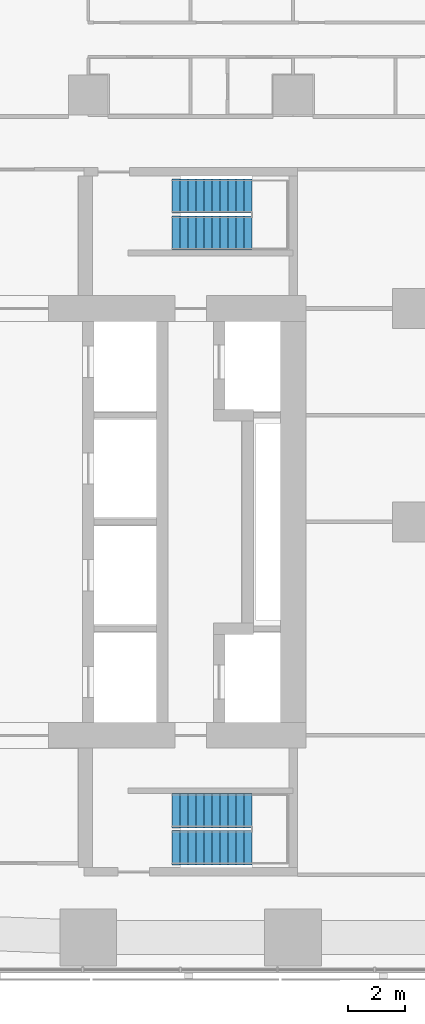
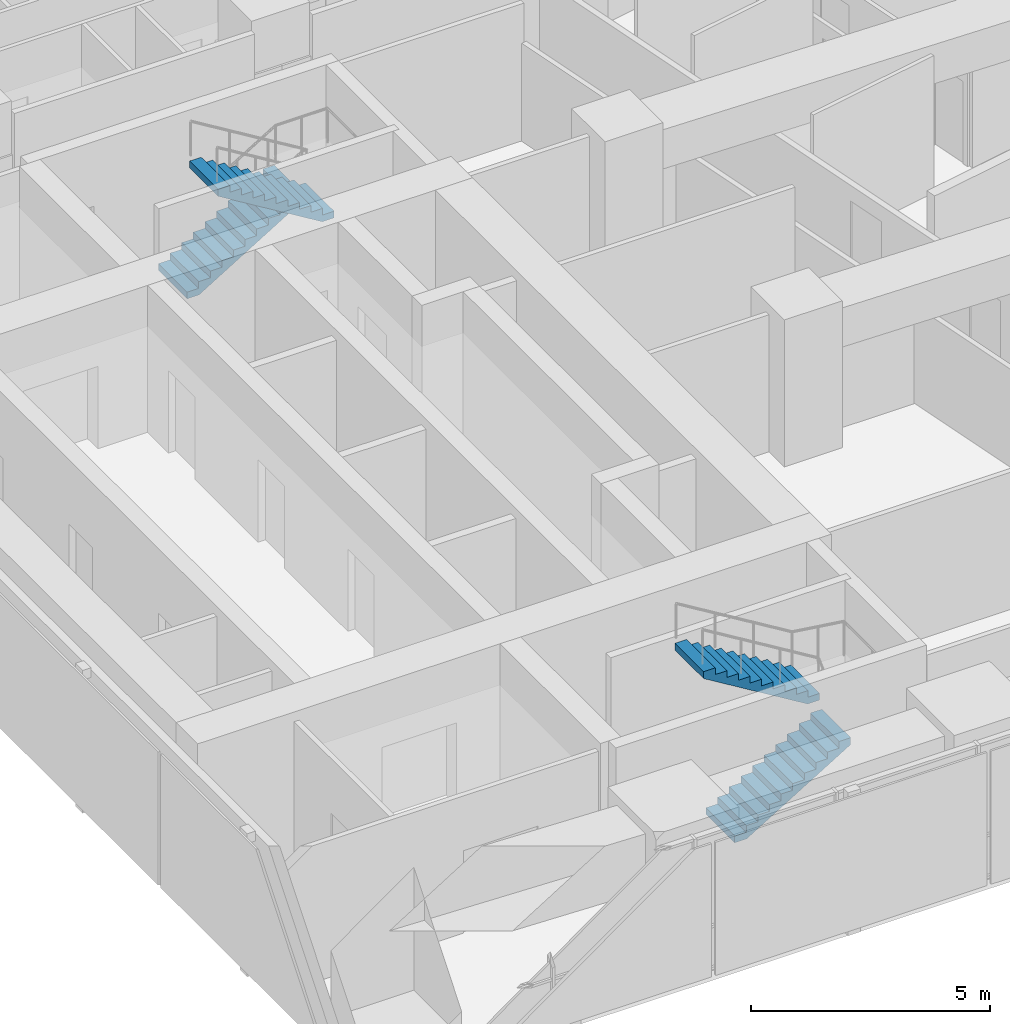
# One storey, part 10 of 11: 4 stair flights, 2 elements without a shape of their own.
"""IFC4 building model written with IfcOpenShell, lengths in metres."""

from ifc_helpers import new_model, si_unit, direction, frame, origin, place, context, subcontext, project, spatial, triangles, material, type_object, element, aggregate, save


model = new_model("IFC4")

# Units and contexts
model_context = context("Model", 3, precision=1e-05, world=origin(), true_north=direction((0.0, 1.0)))
body_context = subcontext(model_context, "Body", "Model", "MODEL_VIEW")
ifc_project = project(units=[si_unit("LENGTHUNIT", "METRE"), si_unit("AREAUNIT", "SQUARE_METRE"), si_unit("VOLUMEUNIT", "CUBIC_METRE"), si_unit("PLANEANGLEUNIT", "RADIAN"), si_unit("MASSUNIT", "GRAM", prefix="KILO")], contexts=[model_context])

# Site, building, storey
site_placement = place(None, origin())
site = spatial("IfcSite", under=ifc_project, at=site_placement, CompositionType="ELEMENT")
building_placement = place(site_placement, origin())
building = spatial("IfcBuilding", under=site, at=building_placement, Name="Sheger Commons Tower", CompositionType="ELEMENT")
storey_placement = place(building_placement, frame((0.0, 0.0, 266.60009765625)))
storey = spatial("IfcBuildingStorey", under=building, at=storey_placement, Name="L68", CompositionType="ELEMENT", Elevation=266.60009765625)

# Stair, stair flights
ifc_material_1 = material(Name="Concrete C35/45", Category="concrete")
stair_type = type_object("IfcStairType", Name="HALF-TURN STAIR 1200 RISE 3750", PredefinedType="HALF_TURN_STAIR", material=ifc_material_1)
stair_1_placement = place(storey_placement, origin())
stair_1 = element("IfcStair", 1, at=stair_1_placement, inside=storey, type_object=stair_type, Name="Stair S1 L68", PredefinedType="HALF_TURN_STAIR")
ifc_material_2 = material(Name="Concrete C35/45", Category="concrete")
stair_flight_type = type_object("IfcStairFlightType", Name="STAIR FLIGHT 1200 11 RISERS OF 170", PredefinedType="STRAIGHT", material=ifc_material_2)
stair_flight_1_placement = place(storey_placement, frame((24.550048828125, 11.050048828125, 0.0), z_axis=(0.0, 0.0, 1.0), x_axis=(1.0, 0.0, 0.0)))
stair_flight_1 = element("IfcStairFlight", 2, at=stair_flight_1_placement, type_object=stair_flight_type, Name="S1 flight 1", NumberOfRisers=11, NumberOfTreads=10, PredefinedType="STRAIGHT", RiserHeight=0.170454545, TreadLength=0.28, context=body_context, shape_type="Tessellation", body=[
    triangles([(0.0, 0.5999755859375, 0.0), (0.0, 0.5999755859375, 0.17041015625), (0.280029296875, 0.5999755859375, 0.17041015625), (0.280029296875, 0.5999755859375, 0.3408203125), (0.56005859375, 0.5999755859375, 0.3408203125), (0.56005859375, 0.5999755859375, 0.511474609375), (0.840087890625, 0.5999755859375, 0.511474609375), (0.840087890625, 0.5999755859375, 0.681884765625), (1.1201171875, 0.5999755859375, 0.681884765625), (1.1201171875, 0.5999755859375, 0.852294921875), (1.39990234375, 0.5999755859375, 0.852294921875), (1.39990234375, 0.5999755859375, 1.022705078125), (1.679931640625, 0.5999755859375, 1.022705078125), (1.679931640625, 0.5999755859375, 1.193115234375), (1.9599609375, 0.5999755859375, 1.193115234375), (1.9599609375, 0.5999755859375, 1.363525390625), (2.239990234375, 0.5999755859375, 1.363525390625), (2.239990234375, 0.5999755859375, 1.5341796875), (2.52001953125, 0.5999755859375, 1.5341796875), (2.52001953125, 0.5999755859375, 1.70458984375), (2.800048828125, 0.5999755859375, 1.70458984375), (2.800048828125, 0.5999755859375, 1.529052734375), (0.288330078125, 0.5999755859375, 0.0), (0.0, -0.5999755859375, 0.0), (0.0, -0.5999755859375, 0.17041015625), (0.280029296875, -0.5999755859375, 0.17041015625), (0.280029296875, -0.5999755859375, 0.3408203125), (0.56005859375, -0.5999755859375, 0.3408203125), (0.56005859375, -0.5999755859375, 0.511474609375), (0.840087890625, -0.5999755859375, 0.511474609375), (0.840087890625, -0.5999755859375, 0.681884765625), (1.1201171875, -0.5999755859375, 0.681884765625), (1.1201171875, -0.5999755859375, 0.852294921875), (1.39990234375, -0.5999755859375, 0.852294921875), (1.39990234375, -0.5999755859375, 1.022705078125), (1.679931640625, -0.5999755859375, 1.022705078125), (1.679931640625, -0.5999755859375, 1.193115234375), (1.9599609375, -0.5999755859375, 1.193115234375), (1.9599609375, -0.5999755859375, 1.363525390625), (2.239990234375, -0.5999755859375, 1.363525390625), (2.239990234375, -0.5999755859375, 1.5341796875), (2.52001953125, -0.5999755859375, 1.5341796875), (2.52001953125, -0.5999755859375, 1.70458984375), (2.800048828125, -0.5999755859375, 1.70458984375), (2.800048828125, -0.5999755859375, 1.529052734375), (0.288330078125, -0.5999755859375, 0.0), (0.0, 0.0, 0.085205078125), (0.1400146484375, 0.0, 0.17041015625), (0.280029296875, 0.0, 0.255615234375), (0.4200439453125, 0.0, 0.3408203125), (0.56005859375, 0.0, 0.4261474609375), (0.7000732421875, 0.0, 0.511474609375), (0.840087890625, 0.0, 0.5966796875), (0.9801025390625, 0.0, 0.681884765625), (1.1201171875, 0.0, 0.76708984375), (1.260009765625, 0.0, 0.852294921875), (1.39990234375, 0.0, 0.9375), (1.5399169921875, 0.0, 1.022705078125), (1.679931640625, 0.0, 1.10791015625), (1.8199462890625, 0.0, 1.193115234375), (1.9599609375, 0.0, 1.2783203125), (2.0999755859375, 0.0, 1.363525390625), (2.239990234375, 0.0, 1.4488525390625), (2.3800048828125, 0.0, 1.5341796875), (2.52001953125, 0.0, 1.619384765625), (2.6600341796875, 0.0, 1.70458984375), (2.800048828125, 0.0, 1.6168212890625), (1.544189453125, 0.0, 0.7645263671875), (0.1441650390625, 0.0, 0.0)], [[1, 22, 23], [24, 46, 45], [22, 20, 21], [45, 44, 43], [22, 19, 20], [45, 43, 42], [22, 18, 19], [45, 42, 41], [22, 17, 18], [45, 41, 40], [17, 15, 16], [40, 39, 38], [22, 15, 17], [45, 40, 38], [15, 13, 14], [38, 37, 36], [22, 13, 15], [45, 38, 36], [13, 11, 12], [36, 35, 34], [22, 11, 13], [45, 36, 34], [11, 9, 10], [34, 33, 32], [22, 9, 11], [45, 34, 32], [9, 7, 8], [32, 31, 30], [22, 7, 9], [45, 32, 30], [7, 5, 6], [30, 29, 28], [22, 5, 7], [45, 30, 28], [5, 3, 4], [28, 27, 26], [22, 3, 5], [45, 28, 26], [1, 3, 22], [24, 45, 26], [3, 1, 2], [26, 25, 24], [1, 47, 2], [2, 47, 25], [25, 47, 24], [24, 47, 1], [2, 48, 3], [3, 48, 26], [26, 48, 25], [25, 48, 2], [3, 49, 4], [4, 49, 27], [27, 49, 26], [26, 49, 3], [4, 50, 5], [5, 50, 28], [28, 50, 27], [27, 50, 4], [5, 51, 6], [6, 51, 29], [29, 51, 28], [28, 51, 5], [6, 52, 7], [7, 52, 30], [30, 52, 29], [29, 52, 6], [7, 53, 8], [8, 53, 31], [31, 53, 30], [30, 53, 7], [8, 54, 9], [9, 54, 32], [32, 54, 31], [31, 54, 8], [9, 55, 10], [10, 55, 33], [33, 55, 32], [32, 55, 9], [10, 56, 11], [11, 56, 34], [34, 56, 33], [33, 56, 10], [11, 57, 12], [12, 57, 35], [35, 57, 34], [34, 57, 11], [12, 58, 13], [13, 58, 36], [36, 58, 35], [35, 58, 12], [13, 59, 14], [14, 59, 37], [37, 59, 36], [36, 59, 13], [14, 60, 15], [15, 60, 38], [38, 60, 37], [37, 60, 14], [15, 61, 16], [16, 61, 39], [39, 61, 38], [38, 61, 15], [16, 62, 17], [17, 62, 40], [40, 62, 39], [39, 62, 16], [17, 63, 18], [18, 63, 41], [41, 63, 40], [40, 63, 17], [18, 64, 19], [19, 64, 42], [42, 64, 41], [41, 64, 18], [19, 65, 20], [20, 65, 43], [43, 65, 42], [42, 65, 19], [20, 66, 21], [21, 66, 44], [44, 66, 43], [43, 66, 20], [21, 67, 22], [22, 67, 45], [45, 67, 44], [44, 67, 21], [22, 68, 23], [23, 68, 46], [46, 68, 45], [45, 68, 22], [23, 69, 1], [1, 69, 24], [24, 69, 46], [46, 69, 23]], closed=True),
])
stair_flight_2_placement = place(storey_placement, frame((27.35009765625, 12.35009765625, 1.875), z_axis=(0.0, 0.0, 1.0), x_axis=(-1.0, 0.0, 0.0)))
stair_flight_2 = element("IfcStairFlight", 3, at=stair_flight_2_placement, type_object=stair_flight_type, Name="S1 flight 2", NumberOfRisers=11, NumberOfTreads=10, PredefinedType="STRAIGHT", RiserHeight=0.170454545, TreadLength=0.28, context=body_context, shape_type="Tessellation", body=[
    triangles([(0.0, 0.5999755859375, 0.0), (0.0, 0.5999755859375, 0.17041015625), (0.280029296875, 0.5999755859375, 0.17041015625), (0.280029296875, 0.5999755859375, 0.3408203125), (0.56005859375, 0.5999755859375, 0.3408203125), (0.56005859375, 0.5999755859375, 0.511474609375), (0.840087890625, 0.5999755859375, 0.511474609375), (0.840087890625, 0.5999755859375, 0.681884765625), (1.1201171875, 0.5999755859375, 0.681884765625), (1.1201171875, 0.5999755859375, 0.852294921875), (1.39990234375, 0.5999755859375, 0.852294921875), (1.39990234375, 0.5999755859375, 1.022705078125), (1.679931640625, 0.5999755859375, 1.022705078125), (1.679931640625, 0.5999755859375, 1.193115234375), (1.9599609375, 0.5999755859375, 1.193115234375), (1.9599609375, 0.5999755859375, 1.363525390625), (2.239990234375, 0.5999755859375, 1.363525390625), (2.239990234375, 0.5999755859375, 1.5341796875), (2.52001953125, 0.5999755859375, 1.5341796875), (2.52001953125, 0.5999755859375, 1.70458984375), (2.800048828125, 0.5999755859375, 1.70458984375), (2.800048828125, 0.5999755859375, 1.529052734375), (0.288330078125, 0.5999755859375, 0.0), (0.0, -0.5999755859375, 0.0), (0.0, -0.5999755859375, 0.17041015625), (0.280029296875, -0.5999755859375, 0.17041015625), (0.280029296875, -0.5999755859375, 0.3408203125), (0.56005859375, -0.5999755859375, 0.3408203125), (0.56005859375, -0.5999755859375, 0.511474609375), (0.840087890625, -0.5999755859375, 0.511474609375), (0.840087890625, -0.5999755859375, 0.681884765625), (1.1201171875, -0.5999755859375, 0.681884765625), (1.1201171875, -0.5999755859375, 0.852294921875), (1.39990234375, -0.5999755859375, 0.852294921875), (1.39990234375, -0.5999755859375, 1.022705078125), (1.679931640625, -0.5999755859375, 1.022705078125), (1.679931640625, -0.5999755859375, 1.193115234375), (1.9599609375, -0.5999755859375, 1.193115234375), (1.9599609375, -0.5999755859375, 1.363525390625), (2.239990234375, -0.5999755859375, 1.363525390625), (2.239990234375, -0.5999755859375, 1.5341796875), (2.52001953125, -0.5999755859375, 1.5341796875), (2.52001953125, -0.5999755859375, 1.70458984375), (2.800048828125, -0.5999755859375, 1.70458984375), (2.800048828125, -0.5999755859375, 1.529052734375), (0.288330078125, -0.5999755859375, 0.0), (0.0, 0.0, 0.085205078125), (0.1400146484375, 0.0, 0.17041015625), (0.280029296875, 0.0, 0.255615234375), (0.4200439453125, 0.0, 0.3408203125), (0.56005859375, 0.0, 0.4261474609375), (0.7000732421875, 0.0, 0.511474609375), (0.840087890625, 0.0, 0.5966796875), (0.9801025390625, 0.0, 0.681884765625), (1.1201171875, 0.0, 0.76708984375), (1.260009765625, 0.0, 0.852294921875), (1.39990234375, 0.0, 0.9375), (1.5399169921875, 0.0, 1.022705078125), (1.679931640625, 0.0, 1.10791015625), (1.8199462890625, 0.0, 1.193115234375), (1.9599609375, 0.0, 1.2783203125), (2.0999755859375, 0.0, 1.363525390625), (2.239990234375, 0.0, 1.4488525390625), (2.3800048828125, 0.0, 1.5341796875), (2.52001953125, 0.0, 1.619384765625), (2.6600341796875, 0.0, 1.70458984375), (2.800048828125, 0.0, 1.6168212890625), (1.544189453125, 0.0, 0.7645263671875), (0.1441650390625, 0.0, 0.0)], [[1, 22, 23], [24, 46, 45], [22, 20, 21], [45, 44, 43], [22, 19, 20], [45, 43, 42], [22, 18, 19], [45, 42, 41], [22, 17, 18], [45, 41, 40], [17, 15, 16], [40, 39, 38], [22, 15, 17], [45, 40, 38], [15, 13, 14], [38, 37, 36], [22, 13, 15], [45, 38, 36], [13, 11, 12], [36, 35, 34], [22, 11, 13], [45, 36, 34], [11, 9, 10], [34, 33, 32], [22, 9, 11], [45, 34, 32], [9, 7, 8], [32, 31, 30], [22, 7, 9], [45, 32, 30], [7, 5, 6], [30, 29, 28], [22, 5, 7], [45, 30, 28], [5, 3, 4], [28, 27, 26], [22, 3, 5], [45, 28, 26], [1, 3, 22], [24, 45, 26], [3, 1, 2], [26, 25, 24], [1, 47, 2], [2, 47, 25], [25, 47, 24], [24, 47, 1], [2, 48, 3], [3, 48, 26], [26, 48, 25], [25, 48, 2], [3, 49, 4], [4, 49, 27], [27, 49, 26], [26, 49, 3], [4, 50, 5], [5, 50, 28], [28, 50, 27], [27, 50, 4], [5, 51, 6], [6, 51, 29], [29, 51, 28], [28, 51, 5], [6, 52, 7], [7, 52, 30], [30, 52, 29], [29, 52, 6], [7, 53, 8], [8, 53, 31], [31, 53, 30], [30, 53, 7], [8, 54, 9], [9, 54, 32], [32, 54, 31], [31, 54, 8], [9, 55, 10], [10, 55, 33], [33, 55, 32], [32, 55, 9], [10, 56, 11], [11, 56, 34], [34, 56, 33], [33, 56, 10], [11, 57, 12], [12, 57, 35], [35, 57, 34], [34, 57, 11], [12, 58, 13], [13, 58, 36], [36, 58, 35], [35, 58, 12], [13, 59, 14], [14, 59, 37], [37, 59, 36], [36, 59, 13], [14, 60, 15], [15, 60, 38], [38, 60, 37], [37, 60, 14], [15, 61, 16], [16, 61, 39], [39, 61, 38], [38, 61, 15], [16, 62, 17], [17, 62, 40], [40, 62, 39], [39, 62, 16], [17, 63, 18], [18, 63, 41], [41, 63, 40], [40, 63, 17], [18, 64, 19], [19, 64, 42], [42, 64, 41], [41, 64, 18], [19, 65, 20], [20, 65, 43], [43, 65, 42], [42, 65, 19], [20, 66, 21], [21, 66, 44], [44, 66, 43], [43, 66, 20], [21, 67, 22], [22, 67, 45], [45, 67, 44], [44, 67, 21], [22, 68, 23], [23, 68, 46], [46, 68, 45], [45, 68, 22], [23, 69, 1], [1, 69, 24], [24, 69, 46], [46, 69, 23]], closed=True),
])
aggregate(stair_1, [stair_flight_1, stair_flight_2])

stair_2_placement = place(storey_placement, origin())
stair_2 = element("IfcStair", 4, at=stair_2_placement, inside=storey, type_object=stair_type, Name="Stair S2 L68", PredefinedType="HALF_TURN_STAIR")
stair_flight_3_placement = place(storey_placement, frame((24.550048828125, 33.949951171875, 0.0), z_axis=(0.0, 0.0, 1.0), x_axis=(1.0, 0.0, 0.0)))
stair_flight_3 = element("IfcStairFlight", 5, at=stair_flight_3_placement, type_object=stair_flight_type, Name="S2 flight 1", NumberOfRisers=11, NumberOfTreads=10, PredefinedType="STRAIGHT", RiserHeight=0.170454545, TreadLength=0.28, context=body_context, shape_type="Tessellation", body=[
    triangles([(0.0, 0.5999755859375, 0.0), (0.0, 0.5999755859375, 0.17041015625), (0.280029296875, 0.5999755859375, 0.17041015625), (0.280029296875, 0.5999755859375, 0.3408203125), (0.56005859375, 0.5999755859375, 0.3408203125), (0.56005859375, 0.5999755859375, 0.511474609375), (0.840087890625, 0.5999755859375, 0.511474609375), (0.840087890625, 0.5999755859375, 0.681884765625), (1.1201171875, 0.5999755859375, 0.681884765625), (1.1201171875, 0.5999755859375, 0.852294921875), (1.39990234375, 0.5999755859375, 0.852294921875), (1.39990234375, 0.5999755859375, 1.022705078125), (1.679931640625, 0.5999755859375, 1.022705078125), (1.679931640625, 0.5999755859375, 1.193115234375), (1.9599609375, 0.5999755859375, 1.193115234375), (1.9599609375, 0.5999755859375, 1.363525390625), (2.239990234375, 0.5999755859375, 1.363525390625), (2.239990234375, 0.5999755859375, 1.5341796875), (2.52001953125, 0.5999755859375, 1.5341796875), (2.52001953125, 0.5999755859375, 1.70458984375), (2.800048828125, 0.5999755859375, 1.70458984375), (2.800048828125, 0.5999755859375, 1.529052734375), (0.288330078125, 0.5999755859375, 0.0), (0.0, -0.5999755859375, 0.0), (0.0, -0.5999755859375, 0.17041015625), (0.280029296875, -0.5999755859375, 0.17041015625), (0.280029296875, -0.5999755859375, 0.3408203125), (0.56005859375, -0.5999755859375, 0.3408203125), (0.56005859375, -0.5999755859375, 0.511474609375), (0.840087890625, -0.5999755859375, 0.511474609375), (0.840087890625, -0.5999755859375, 0.681884765625), (1.1201171875, -0.5999755859375, 0.681884765625), (1.1201171875, -0.5999755859375, 0.852294921875), (1.39990234375, -0.5999755859375, 0.852294921875), (1.39990234375, -0.5999755859375, 1.022705078125), (1.679931640625, -0.5999755859375, 1.022705078125), (1.679931640625, -0.5999755859375, 1.193115234375), (1.9599609375, -0.5999755859375, 1.193115234375), (1.9599609375, -0.5999755859375, 1.363525390625), (2.239990234375, -0.5999755859375, 1.363525390625), (2.239990234375, -0.5999755859375, 1.5341796875), (2.52001953125, -0.5999755859375, 1.5341796875), (2.52001953125, -0.5999755859375, 1.70458984375), (2.800048828125, -0.5999755859375, 1.70458984375), (2.800048828125, -0.5999755859375, 1.529052734375), (0.288330078125, -0.5999755859375, 0.0), (0.0, 0.0, 0.085205078125), (0.1400146484375, 0.0, 0.17041015625), (0.280029296875, 0.0, 0.255615234375), (0.4200439453125, 0.0, 0.3408203125), (0.56005859375, 0.0, 0.4261474609375), (0.7000732421875, 0.0, 0.511474609375), (0.840087890625, 0.0, 0.5966796875), (0.9801025390625, 0.0, 0.681884765625), (1.1201171875, 0.0, 0.76708984375), (1.260009765625, 0.0, 0.852294921875), (1.39990234375, 0.0, 0.9375), (1.5399169921875, 0.0, 1.022705078125), (1.679931640625, 0.0, 1.10791015625), (1.8199462890625, 0.0, 1.193115234375), (1.9599609375, 0.0, 1.2783203125), (2.0999755859375, 0.0, 1.363525390625), (2.239990234375, 0.0, 1.4488525390625), (2.3800048828125, 0.0, 1.5341796875), (2.52001953125, 0.0, 1.619384765625), (2.6600341796875, 0.0, 1.70458984375), (2.800048828125, 0.0, 1.6168212890625), (1.544189453125, 0.0, 0.7645263671875), (0.1441650390625, 0.0, 0.0)], [[1, 22, 23], [24, 46, 45], [22, 20, 21], [45, 44, 43], [22, 19, 20], [45, 43, 42], [22, 18, 19], [45, 42, 41], [22, 17, 18], [45, 41, 40], [17, 15, 16], [40, 39, 38], [22, 15, 17], [45, 40, 38], [15, 13, 14], [38, 37, 36], [22, 13, 15], [45, 38, 36], [13, 11, 12], [36, 35, 34], [22, 11, 13], [45, 36, 34], [11, 9, 10], [34, 33, 32], [22, 9, 11], [45, 34, 32], [9, 7, 8], [32, 31, 30], [22, 7, 9], [45, 32, 30], [7, 5, 6], [30, 29, 28], [22, 5, 7], [45, 30, 28], [5, 3, 4], [28, 27, 26], [22, 3, 5], [45, 28, 26], [1, 3, 22], [24, 45, 26], [3, 1, 2], [26, 25, 24], [1, 47, 2], [2, 47, 25], [25, 47, 24], [24, 47, 1], [2, 48, 3], [3, 48, 26], [26, 48, 25], [25, 48, 2], [3, 49, 4], [4, 49, 27], [27, 49, 26], [26, 49, 3], [4, 50, 5], [5, 50, 28], [28, 50, 27], [27, 50, 4], [5, 51, 6], [6, 51, 29], [29, 51, 28], [28, 51, 5], [6, 52, 7], [7, 52, 30], [30, 52, 29], [29, 52, 6], [7, 53, 8], [8, 53, 31], [31, 53, 30], [30, 53, 7], [8, 54, 9], [9, 54, 32], [32, 54, 31], [31, 54, 8], [9, 55, 10], [10, 55, 33], [33, 55, 32], [32, 55, 9], [10, 56, 11], [11, 56, 34], [34, 56, 33], [33, 56, 10], [11, 57, 12], [12, 57, 35], [35, 57, 34], [34, 57, 11], [12, 58, 13], [13, 58, 36], [36, 58, 35], [35, 58, 12], [13, 59, 14], [14, 59, 37], [37, 59, 36], [36, 59, 13], [14, 60, 15], [15, 60, 38], [38, 60, 37], [37, 60, 14], [15, 61, 16], [16, 61, 39], [39, 61, 38], [38, 61, 15], [16, 62, 17], [17, 62, 40], [40, 62, 39], [39, 62, 16], [17, 63, 18], [18, 63, 41], [41, 63, 40], [40, 63, 17], [18, 64, 19], [19, 64, 42], [42, 64, 41], [41, 64, 18], [19, 65, 20], [20, 65, 43], [43, 65, 42], [42, 65, 19], [20, 66, 21], [21, 66, 44], [44, 66, 43], [43, 66, 20], [21, 67, 22], [22, 67, 45], [45, 67, 44], [44, 67, 21], [22, 68, 23], [23, 68, 46], [46, 68, 45], [45, 68, 22], [23, 69, 1], [1, 69, 24], [24, 69, 46], [46, 69, 23]], closed=True),
])
stair_flight_4_placement = place(storey_placement, frame((27.35009765625, 32.64990234375, 1.875), z_axis=(0.0, 0.0, 1.0), x_axis=(-1.0, 0.0, 0.0)))
stair_flight_4 = element("IfcStairFlight", 6, at=stair_flight_4_placement, type_object=stair_flight_type, Name="S2 flight 2", NumberOfRisers=11, NumberOfTreads=10, PredefinedType="STRAIGHT", RiserHeight=0.170454545, TreadLength=0.28, context=body_context, shape_type="Tessellation", body=[
    triangles([(0.0, 0.5999755859375, 0.0), (0.0, 0.5999755859375, 0.17041015625), (0.280029296875, 0.5999755859375, 0.17041015625), (0.280029296875, 0.5999755859375, 0.3408203125), (0.56005859375, 0.5999755859375, 0.3408203125), (0.56005859375, 0.5999755859375, 0.511474609375), (0.840087890625, 0.5999755859375, 0.511474609375), (0.840087890625, 0.5999755859375, 0.681884765625), (1.1201171875, 0.5999755859375, 0.681884765625), (1.1201171875, 0.5999755859375, 0.852294921875), (1.39990234375, 0.5999755859375, 0.852294921875), (1.39990234375, 0.5999755859375, 1.022705078125), (1.679931640625, 0.5999755859375, 1.022705078125), (1.679931640625, 0.5999755859375, 1.193115234375), (1.9599609375, 0.5999755859375, 1.193115234375), (1.9599609375, 0.5999755859375, 1.363525390625), (2.239990234375, 0.5999755859375, 1.363525390625), (2.239990234375, 0.5999755859375, 1.5341796875), (2.52001953125, 0.5999755859375, 1.5341796875), (2.52001953125, 0.5999755859375, 1.70458984375), (2.800048828125, 0.5999755859375, 1.70458984375), (2.800048828125, 0.5999755859375, 1.529052734375), (0.288330078125, 0.5999755859375, 0.0), (0.0, -0.5999755859375, 0.0), (0.0, -0.5999755859375, 0.17041015625), (0.280029296875, -0.5999755859375, 0.17041015625), (0.280029296875, -0.5999755859375, 0.3408203125), (0.56005859375, -0.5999755859375, 0.3408203125), (0.56005859375, -0.5999755859375, 0.511474609375), (0.840087890625, -0.5999755859375, 0.511474609375), (0.840087890625, -0.5999755859375, 0.681884765625), (1.1201171875, -0.5999755859375, 0.681884765625), (1.1201171875, -0.5999755859375, 0.852294921875), (1.39990234375, -0.5999755859375, 0.852294921875), (1.39990234375, -0.5999755859375, 1.022705078125), (1.679931640625, -0.5999755859375, 1.022705078125), (1.679931640625, -0.5999755859375, 1.193115234375), (1.9599609375, -0.5999755859375, 1.193115234375), (1.9599609375, -0.5999755859375, 1.363525390625), (2.239990234375, -0.5999755859375, 1.363525390625), (2.239990234375, -0.5999755859375, 1.5341796875), (2.52001953125, -0.5999755859375, 1.5341796875), (2.52001953125, -0.5999755859375, 1.70458984375), (2.800048828125, -0.5999755859375, 1.70458984375), (2.800048828125, -0.5999755859375, 1.529052734375), (0.288330078125, -0.5999755859375, 0.0), (0.0, 0.0, 0.085205078125), (0.1400146484375, 0.0, 0.17041015625), (0.280029296875, 0.0, 0.255615234375), (0.4200439453125, 0.0, 0.3408203125), (0.56005859375, 0.0, 0.4261474609375), (0.7000732421875, 0.0, 0.511474609375), (0.840087890625, 0.0, 0.5966796875), (0.9801025390625, 0.0, 0.681884765625), (1.1201171875, 0.0, 0.76708984375), (1.260009765625, 0.0, 0.852294921875), (1.39990234375, 0.0, 0.9375), (1.5399169921875, 0.0, 1.022705078125), (1.679931640625, 0.0, 1.10791015625), (1.8199462890625, 0.0, 1.193115234375), (1.9599609375, 0.0, 1.2783203125), (2.0999755859375, 0.0, 1.363525390625), (2.239990234375, 0.0, 1.4488525390625), (2.3800048828125, 0.0, 1.5341796875), (2.52001953125, 0.0, 1.619384765625), (2.6600341796875, 0.0, 1.70458984375), (2.800048828125, 0.0, 1.6168212890625), (1.544189453125, 0.0, 0.7645263671875), (0.1441650390625, 0.0, 0.0)], [[1, 22, 23], [24, 46, 45], [22, 20, 21], [45, 44, 43], [22, 19, 20], [45, 43, 42], [22, 18, 19], [45, 42, 41], [22, 17, 18], [45, 41, 40], [17, 15, 16], [40, 39, 38], [22, 15, 17], [45, 40, 38], [15, 13, 14], [38, 37, 36], [22, 13, 15], [45, 38, 36], [13, 11, 12], [36, 35, 34], [22, 11, 13], [45, 36, 34], [11, 9, 10], [34, 33, 32], [22, 9, 11], [45, 34, 32], [9, 7, 8], [32, 31, 30], [22, 7, 9], [45, 32, 30], [7, 5, 6], [30, 29, 28], [22, 5, 7], [45, 30, 28], [5, 3, 4], [28, 27, 26], [22, 3, 5], [45, 28, 26], [1, 3, 22], [24, 45, 26], [3, 1, 2], [26, 25, 24], [1, 47, 2], [2, 47, 25], [25, 47, 24], [24, 47, 1], [2, 48, 3], [3, 48, 26], [26, 48, 25], [25, 48, 2], [3, 49, 4], [4, 49, 27], [27, 49, 26], [26, 49, 3], [4, 50, 5], [5, 50, 28], [28, 50, 27], [27, 50, 4], [5, 51, 6], [6, 51, 29], [29, 51, 28], [28, 51, 5], [6, 52, 7], [7, 52, 30], [30, 52, 29], [29, 52, 6], [7, 53, 8], [8, 53, 31], [31, 53, 30], [30, 53, 7], [8, 54, 9], [9, 54, 32], [32, 54, 31], [31, 54, 8], [9, 55, 10], [10, 55, 33], [33, 55, 32], [32, 55, 9], [10, 56, 11], [11, 56, 34], [34, 56, 33], [33, 56, 10], [11, 57, 12], [12, 57, 35], [35, 57, 34], [34, 57, 11], [12, 58, 13], [13, 58, 36], [36, 58, 35], [35, 58, 12], [13, 59, 14], [14, 59, 37], [37, 59, 36], [36, 59, 13], [14, 60, 15], [15, 60, 38], [38, 60, 37], [37, 60, 14], [15, 61, 16], [16, 61, 39], [39, 61, 38], [38, 61, 15], [16, 62, 17], [17, 62, 40], [40, 62, 39], [39, 62, 16], [17, 63, 18], [18, 63, 41], [41, 63, 40], [40, 63, 17], [18, 64, 19], [19, 64, 42], [42, 64, 41], [41, 64, 18], [19, 65, 20], [20, 65, 43], [43, 65, 42], [42, 65, 19], [20, 66, 21], [21, 66, 44], [44, 66, 43], [43, 66, 20], [21, 67, 22], [22, 67, 45], [45, 67, 44], [44, 67, 21], [22, 68, 23], [23, 68, 46], [46, 68, 45], [45, 68, 22], [23, 69, 1], [1, 69, 24], [24, 69, 46], [46, 69, 23]], closed=True),
])
aggregate(stair_2, [stair_flight_3, stair_flight_4])

save(model, "model.ifc")
